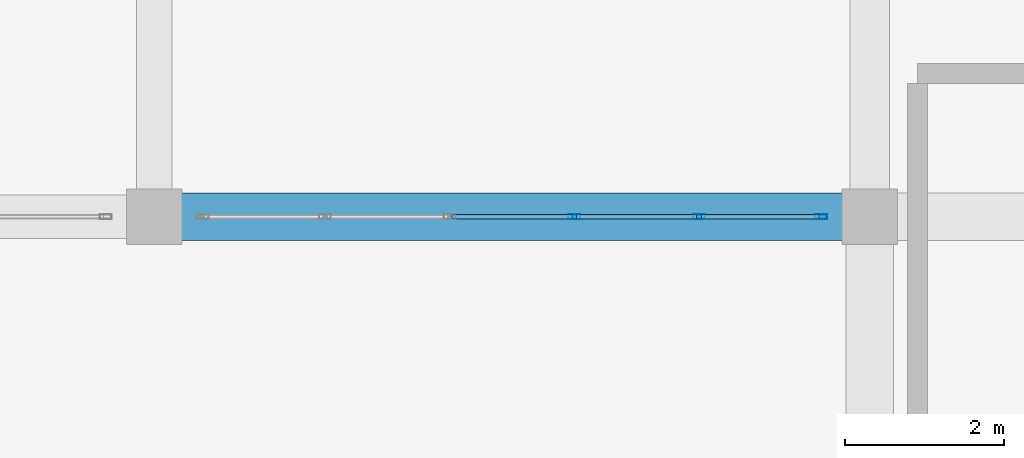
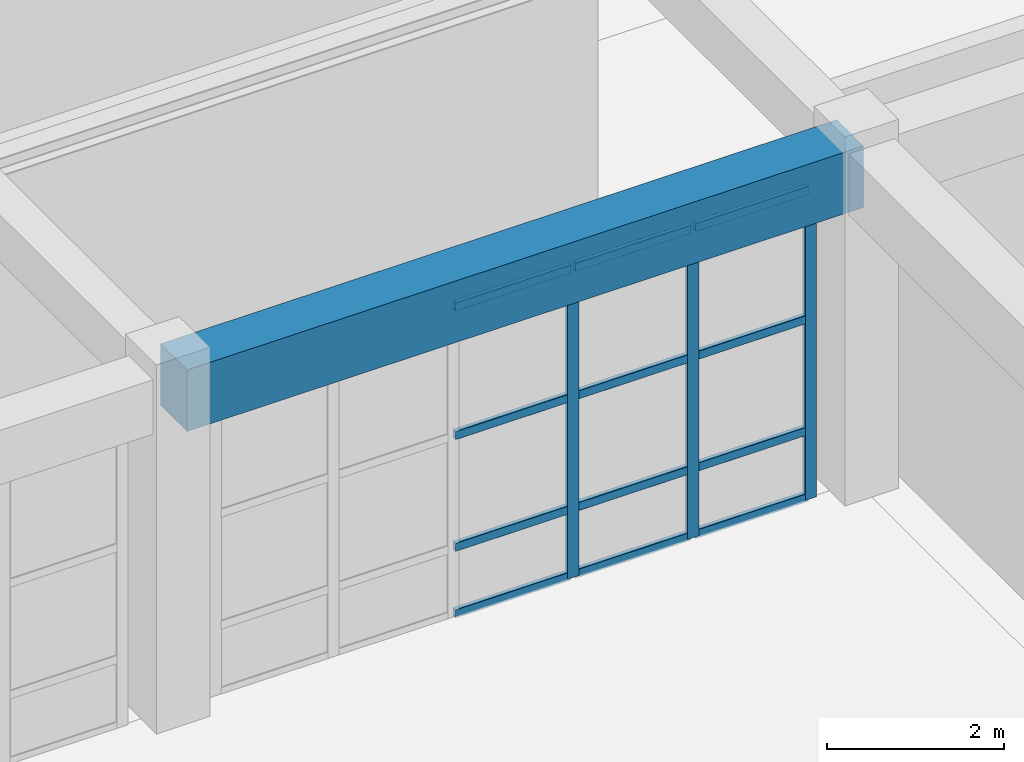
# One storey, part 76 of 128: 15 members, 1 beam, 1 element without a shape of its own.
"""IFC4 building model written with IfcOpenShell, lengths in metres."""

from ifc_helpers import new_model, si_unit, direction, frame, origin, origin_2d, place, context, subcontext, project, spatial, rectangle, hollow_rectangle, extrude, material, material_profile, profile_set, type_object, element, aggregate, save


model = new_model("IFC4")

# Units and contexts
model_context = context("Model", 3, precision=1e-05, world=origin(), true_north=direction((0.0, 1.0)))
body_context = subcontext(model_context, "Body", "Model", "MODEL_VIEW")
ifc_project = project(units=[si_unit("LENGTHUNIT", "METRE"), si_unit("AREAUNIT", "SQUARE_METRE"), si_unit("VOLUMEUNIT", "CUBIC_METRE"), si_unit("PLANEANGLEUNIT", "RADIAN"), si_unit("MASSUNIT", "GRAM", prefix="KILO")], contexts=[model_context])

# Site, building, storey
site_placement = place(None, origin())
site = spatial("IfcSite", under=ifc_project, at=site_placement, CompositionType="ELEMENT")
building_placement = place(site_placement, origin())
building = spatial("IfcBuilding", under=site, at=building_placement, Name="Miravela Opera House", CompositionType="ELEMENT")
storey_placement = place(building_placement, origin())
storey = spatial("IfcBuildingStorey", under=building, at=storey_placement, Name="L00", CompositionType="ELEMENT", Elevation=0.0)

# Curtain wall, members
ifc_material_1 = material(Name="Anodised architectural bronze aluminium 6063-T6", Category="aluminium")
curtain_wall_type = type_object("IfcCurtainWallType", Name="ARC-CW-06", PredefinedType="NOTDEFINED", material=ifc_material_1)
curtain_wall_placement = place(storey_placement, origin())
curtain_wall = element("IfcCurtainWall", 1, at=curtain_wall_placement, inside=storey, type_object=curtain_wall_type, Name="Courtyard Arcade Curtain Wall CW-L00-166", PredefinedType="NOTDEFINED")
ifc_material_profile_1 = material_profile(ifc_material_1, hollow_rectangle(XDim=0.06005859375, YDim=0.14990234375, WallThickness=0.00390625, InnerFilletRadius=0.001953125, OuterFilletRadius=0.00390625, at=origin_2d()), Name="CWM-60X150")
ifc_profile_set_1 = profile_set([ifc_material_profile_1])
member_type_1 = type_object("IfcMemberType", Name="ARC-CWM-150", PredefinedType="MULLION", material=ifc_profile_set_1)
member_1_placement = place(storey_placement, frame((140.283935546875, 28.0, 0.0), z_axis=(0.0, 0.0, 1.0), x_axis=(0.0, 1.0, 0.0)))
member_1 = element("IfcMember", 2, at=member_1_placement, type_object=member_type_1, Name="CW-06 mullion 4", PredefinedType="MULLION", context=body_context, shape_type="SweptSolid", body=[
    extrude(hollow_rectangle(XDim=0.06005859375, YDim=0.14990234375, WallThickness=0.00390625, InnerFilletRadius=0.001953125, OuterFilletRadius=0.00390625, at=origin_2d()), origin(), (0.0, 0.0, 1.0), 4.300048828125),
])
member_2_placement = place(storey_placement, frame((141.85205078125, 28.0, 0.0), z_axis=(0.0, 0.0, 1.0), x_axis=(0.0, 1.0, 0.0)))
member_2 = element("IfcMember", 3, at=member_2_placement, type_object=member_type_1, Name="CW-06 mullion 5", PredefinedType="MULLION", context=body_context, shape_type="SweptSolid", body=[
    extrude(hollow_rectangle(XDim=0.06005859375, YDim=0.14990234375, WallThickness=0.00390625, InnerFilletRadius=0.001953125, OuterFilletRadius=0.00390625, at=origin_2d()), origin(), (0.0, 0.0, 1.0), 4.300048828125),
])
member_3_placement = place(storey_placement, frame((143.389892578125, 28.0, 0.0), z_axis=(0.0, 0.0, 1.0), x_axis=(0.0, 1.0, 0.0)))
member_3 = element("IfcMember", 4, at=member_3_placement, type_object=member_type_1, Name="CW-06 mullion 6", PredefinedType="MULLION", context=body_context, shape_type="SweptSolid", body=[
    extrude(hollow_rectangle(XDim=0.06005859375, YDim=0.14990234375, WallThickness=0.00390625, InnerFilletRadius=0.001953125, OuterFilletRadius=0.00390625, at=origin_2d()), origin(), (0.0, 0.0, 1.0), 4.300048828125),
])
ifc_material_profile_2 = material_profile(ifc_material_1, hollow_rectangle(XDim=0.06005859375, YDim=0.114990234375, WallThickness=0.00390625, InnerFilletRadius=0.001953125, OuterFilletRadius=0.00390625, at=origin_2d()), Name="CWT-60X115")
ifc_profile_set_2 = profile_set([ifc_material_profile_2])
member_type_2 = type_object("IfcMemberType", Name="ARC-CWT-115", PredefinedType="USERDEFINED", material=ifc_profile_set_2)
member_4_placement = place(storey_placement, frame((138.74609375, 28.0, 0.030029296875), z_axis=(1.0, 0.0, 0.0), x_axis=(0.0, 1.0, 0.0)))
member_4 = element("IfcMember", 5, at=member_4_placement, type_object=member_type_2, Name="CW-06 transom 3.1", ObjectType="TRANSOM", PredefinedType="USERDEFINED", context=body_context, shape_type="SweptSolid", body=[
    extrude(hollow_rectangle(XDim=0.06005859375, YDim=0.114990234375, WallThickness=0.00390625, InnerFilletRadius=0.001953125, OuterFilletRadius=0.00390625, at=origin_2d()), origin(), (0.0, 0.0, 1.0), 1.5078125),
])
member_5_placement = place(storey_placement, frame((138.74609375, 28.0, 0.949951171875), z_axis=(1.0, 0.0, 0.0), x_axis=(0.0, 1.0, 0.0)))
member_5 = element("IfcMember", 6, at=member_5_placement, type_object=member_type_2, Name="CW-06 transom 3.2", ObjectType="TRANSOM", PredefinedType="USERDEFINED", context=body_context, shape_type="SweptSolid", body=[
    extrude(hollow_rectangle(XDim=0.06005859375, YDim=0.114990234375, WallThickness=0.00390625, InnerFilletRadius=0.001953125, OuterFilletRadius=0.00390625, at=origin_2d()), origin(), (0.0, 0.0, 1.0), 1.5078125),
])
member_6_placement = place(storey_placement, frame((138.74609375, 28.0, 2.493896484375), z_axis=(1.0, 0.0, 0.0), x_axis=(0.0, 1.0, 0.0)))
member_6 = element("IfcMember", 7, at=member_6_placement, type_object=member_type_2, Name="CW-06 transom 3.3", ObjectType="TRANSOM", PredefinedType="USERDEFINED", context=body_context, shape_type="SweptSolid", body=[
    extrude(hollow_rectangle(XDim=0.06005859375, YDim=0.114990234375, WallThickness=0.00390625, InnerFilletRadius=0.001953125, OuterFilletRadius=0.00390625, at=origin_2d()), origin(), (0.0, 0.0, 1.0), 1.5078125),
])
member_7_placement = place(storey_placement, frame((138.74609375, 28.0, 4.27001953125), z_axis=(1.0, 0.0, 0.0), x_axis=(0.0, 1.0, 0.0)))
member_7 = element("IfcMember", 8, at=member_7_placement, type_object=member_type_2, Name="CW-06 transom 3.4", ObjectType="TRANSOM", PredefinedType="USERDEFINED", context=body_context, shape_type="SweptSolid", body=[
    extrude(hollow_rectangle(XDim=0.06005859375, YDim=0.114990234375, WallThickness=0.00390625, InnerFilletRadius=0.001953125, OuterFilletRadius=0.00390625, at=origin_2d()), origin(), (0.0, 0.0, 1.0), 1.5078125),
])
member_8_placement = place(storey_placement, frame((140.31396484375, 28.0, 0.030029296875), z_axis=(1.0, 0.0, 0.0), x_axis=(0.0, 1.0, 0.0)))
member_8 = element("IfcMember", 9, at=member_8_placement, type_object=member_type_2, Name="CW-06 transom 4.1", ObjectType="TRANSOM", PredefinedType="USERDEFINED", context=body_context, shape_type="SweptSolid", body=[
    extrude(hollow_rectangle(XDim=0.06005859375, YDim=0.114990234375, WallThickness=0.00390625, InnerFilletRadius=0.001953125, OuterFilletRadius=0.00390625, at=origin_2d()), origin(), (0.0, 0.0, 1.0), 1.508056640625),
])
member_9_placement = place(storey_placement, frame((140.31396484375, 28.0, 0.949951171875), z_axis=(1.0, 0.0, 0.0), x_axis=(0.0, 1.0, 0.0)))
member_9 = element("IfcMember", 10, at=member_9_placement, type_object=member_type_2, Name="CW-06 transom 4.2", ObjectType="TRANSOM", PredefinedType="USERDEFINED", context=body_context, shape_type="SweptSolid", body=[
    extrude(hollow_rectangle(XDim=0.06005859375, YDim=0.114990234375, WallThickness=0.00390625, InnerFilletRadius=0.001953125, OuterFilletRadius=0.00390625, at=origin_2d()), origin(), (0.0, 0.0, 1.0), 1.508056640625),
])
member_10_placement = place(storey_placement, frame((140.31396484375, 28.0, 2.493896484375), z_axis=(1.0, 0.0, 0.0), x_axis=(0.0, 1.0, 0.0)))
member_10 = element("IfcMember", 11, at=member_10_placement, type_object=member_type_2, Name="CW-06 transom 4.3", ObjectType="TRANSOM", PredefinedType="USERDEFINED", context=body_context, shape_type="SweptSolid", body=[
    extrude(hollow_rectangle(XDim=0.06005859375, YDim=0.114990234375, WallThickness=0.00390625, InnerFilletRadius=0.001953125, OuterFilletRadius=0.00390625, at=origin_2d()), origin(), (0.0, 0.0, 1.0), 1.508056640625),
])
member_11_placement = place(storey_placement, frame((140.31396484375, 28.0, 4.27001953125), z_axis=(1.0, 0.0, 0.0), x_axis=(0.0, 1.0, 0.0)))
member_11 = element("IfcMember", 12, at=member_11_placement, type_object=member_type_2, Name="CW-06 transom 4.4", ObjectType="TRANSOM", PredefinedType="USERDEFINED", context=body_context, shape_type="SweptSolid", body=[
    extrude(hollow_rectangle(XDim=0.06005859375, YDim=0.114990234375, WallThickness=0.00390625, InnerFilletRadius=0.001953125, OuterFilletRadius=0.00390625, at=origin_2d()), origin(), (0.0, 0.0, 1.0), 1.508056640625),
])
member_12_placement = place(storey_placement, frame((141.882080078125, 28.0, 0.030029296875), z_axis=(1.0, 0.0, 0.0), x_axis=(0.0, 1.0, 0.0)))
member_12 = element("IfcMember", 13, at=member_12_placement, type_object=member_type_2, Name="CW-06 transom 5.1", ObjectType="TRANSOM", PredefinedType="USERDEFINED", context=body_context, shape_type="SweptSolid", body=[
    extrude(hollow_rectangle(XDim=0.06005859375, YDim=0.114990234375, WallThickness=0.00390625, InnerFilletRadius=0.001953125, OuterFilletRadius=0.00390625, at=origin_2d()), origin(), (0.0, 0.0, 1.0), 1.47802734375),
])
member_13_placement = place(storey_placement, frame((141.882080078125, 28.0, 0.949951171875), z_axis=(1.0, 0.0, 0.0), x_axis=(0.0, 1.0, 0.0)))
member_13 = element("IfcMember", 14, at=member_13_placement, type_object=member_type_2, Name="CW-06 transom 5.2", ObjectType="TRANSOM", PredefinedType="USERDEFINED", context=body_context, shape_type="SweptSolid", body=[
    extrude(hollow_rectangle(XDim=0.06005859375, YDim=0.114990234375, WallThickness=0.00390625, InnerFilletRadius=0.001953125, OuterFilletRadius=0.00390625, at=origin_2d()), origin(), (0.0, 0.0, 1.0), 1.47802734375),
])
member_14_placement = place(storey_placement, frame((141.882080078125, 28.0, 2.493896484375), z_axis=(1.0, 0.0, 0.0), x_axis=(0.0, 1.0, 0.0)))
member_14 = element("IfcMember", 15, at=member_14_placement, type_object=member_type_2, Name="CW-06 transom 5.3", ObjectType="TRANSOM", PredefinedType="USERDEFINED", context=body_context, shape_type="SweptSolid", body=[
    extrude(hollow_rectangle(XDim=0.06005859375, YDim=0.114990234375, WallThickness=0.00390625, InnerFilletRadius=0.001953125, OuterFilletRadius=0.00390625, at=origin_2d()), origin(), (0.0, 0.0, 1.0), 1.47802734375),
])
member_15_placement = place(storey_placement, frame((141.882080078125, 28.0, 4.27001953125), z_axis=(1.0, 0.0, 0.0), x_axis=(0.0, 1.0, 0.0)))
member_15 = element("IfcMember", 16, at=member_15_placement, type_object=member_type_2, Name="CW-06 transom 5.4", ObjectType="TRANSOM", PredefinedType="USERDEFINED", context=body_context, shape_type="SweptSolid", body=[
    extrude(hollow_rectangle(XDim=0.06005859375, YDim=0.114990234375, WallThickness=0.00390625, InnerFilletRadius=0.001953125, OuterFilletRadius=0.00390625, at=origin_2d()), origin(), (0.0, 0.0, 1.0), 1.47802734375),
])
aggregate(curtain_wall, [member_1, member_2, member_3, member_4, member_5, member_6, member_7, member_8, member_9, member_10, member_11, member_12, member_13, member_14, member_15])

# Beam
ifc_material_2 = material(Name="Concrete C40/50", Category="concrete")
ifc_material_profile_3 = material_profile(ifc_material_2, rectangle(XDim=0.60009765625, YDim=0.85009765625, at=origin_2d()), Name="RC-BM-600X850")
ifc_profile_set_3 = profile_set([ifc_material_profile_3])
beam_type = type_object("IfcBeamType", Name="STR-BM-RC600X850", PredefinedType="BEAM", material=ifc_profile_set_3)
beam_placement = place(storey_placement, frame((135.080078125, 28.0, 4.425048828125), z_axis=(1.0, 0.0, 0.0), x_axis=(0.0, 1.0, 0.0)))
element("IfcBeam", 17, at=beam_placement, inside=storey, type_object=beam_type, Name="Floor Girder L00 16-17/D", PredefinedType="BEAM", context=body_context, shape_type="SweptSolid", body=[
    extrude(rectangle(XDim=0.60009765625, YDim=0.85009765625, at=origin_2d()), origin(), (0.0, 0.0, 1.0), 8.83984375),
])

save(model, "model.ifc")
